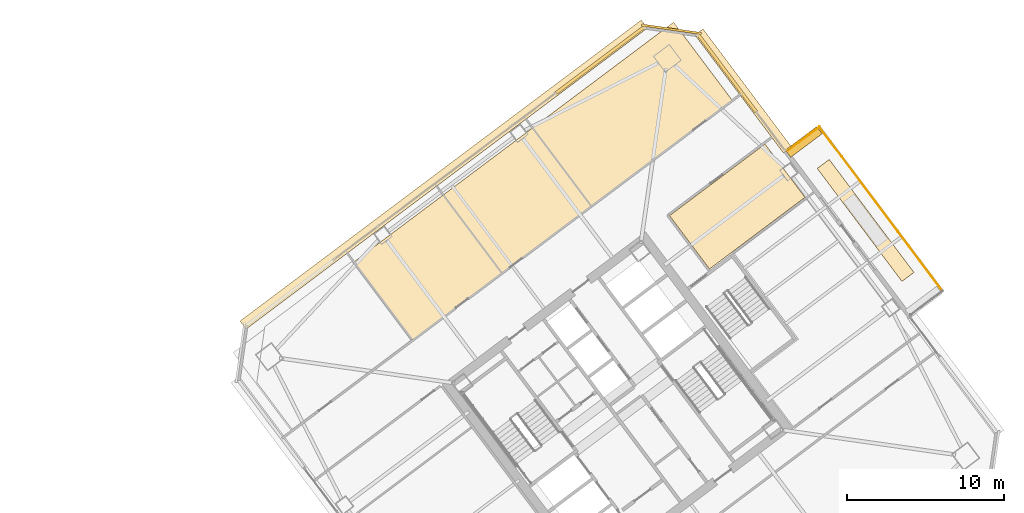
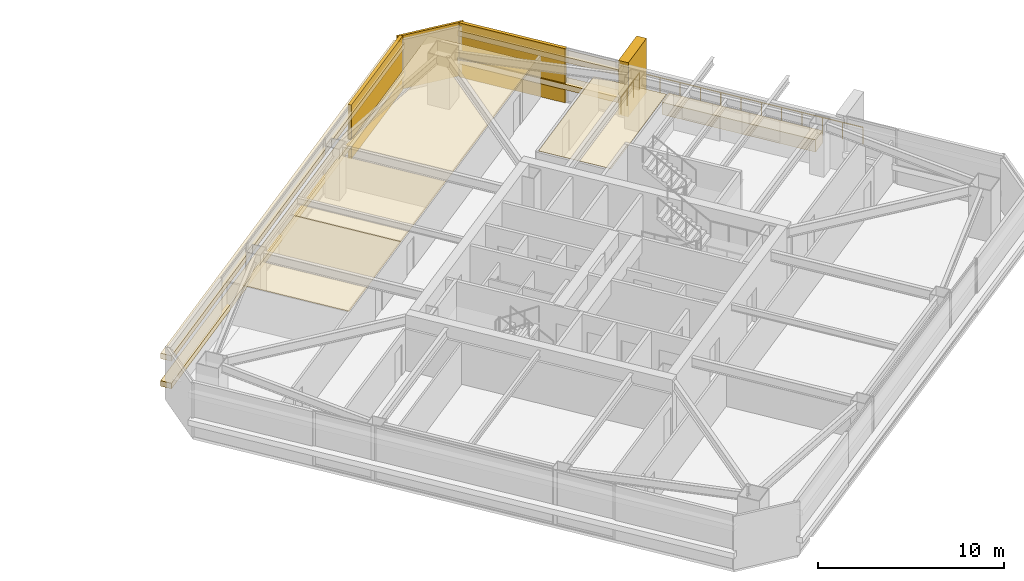
# One storey, part 40 of 41: 13 coverings, 2 railings.
"""IFC4 building model written with IfcOpenShell, lengths in metres."""

import ifcopenshell
import ifcopenshell.guid

model = None  # the IFC model being written
_history = None  # IfcOwnerHistory: only IFC2X3 demands one
_inside = {}  # id of a spatial element -> (the spatial element, [elements in it])
_under = {}  # id of a project, library or spatial element -> (it, [spatial elements below it])
_declared = {}  # id of a project -> (the project, [libraries it declares])
_typed = {}  # id of a type object -> (the type object, [elements of that type])
_made_of = {}  # id of a material, layer set ... -> (it, [elements and type objects made of it])


def new_model(schema):
    """Start an empty IFC model of exactly this schema.

    Asked for "IFC4X3", IfcOpenShell would pick the latest addendum, in which some entities
    have other attributes; the version numbers below select the first issue.
    IFC2X3 requires an IfcOwnerHistory on every rooted entity: one is made here for all.
    """
    global model, _history
    if schema == "IFC4X3":
        model = ifcopenshell.file(schema_version=(4, 3, 0, 0))
    else:
        model = ifcopenshell.file(schema=schema)
    _inside.clear()
    _under.clear()
    _declared.clear()
    _typed.clear()
    _made_of.clear()
    _history = None
    if model.schema == "IFC2X3":
        org = make("IfcOrganization", Name="unknown")
        user = make(
            "IfcPersonAndOrganization",
            ThePerson=make("IfcPerson", FamilyName="unknown"),
            TheOrganization=org,
        )
        app = make(
            "IfcApplication",
            ApplicationDeveloper=org,
            Version="unknown",
            ApplicationFullName="unknown",
            ApplicationIdentifier="unknown",
        )
        _history = make(
            "IfcOwnerHistory",
            OwningUser=user,
            OwningApplication=app,
            ChangeAction="ADDED",
            CreationDate=0,
        )
    return model


def make(cls, **values):
    """One entity of the class cls with the attributes given. An attribute that is None is left unset."""
    return model.create_entity(
        cls, **{name: value for name, value in values.items() if value is not None}
    )


def rooted(cls, **values):
    """An entity with a GlobalId (a new one), such as an element, a storey or a relation."""
    return make(cls, GlobalId=ifcopenshell.guid.new(), OwnerHistory=_history, **values)


def si_unit(unit_type, name, prefix=None):
    """IfcSIUnit, for example si_unit("LENGTHUNIT", "METRE", prefix="MILLI")."""
    return make("IfcSIUnit", UnitType=unit_type, Prefix=prefix, Name=name)


def assignment(units):
    """IfcUnitAssignment: the units of a project."""
    return None if units is None else make("IfcUnitAssignment", Units=units)


def point(xyz):
    """IfcCartesianPoint."""
    return None if xyz is None else make("IfcCartesianPoint", Coordinates=xyz)


def direction(xyz):
    """IfcDirection."""
    return None if xyz is None else make("IfcDirection", DirectionRatios=xyz)


def frame(location, z_axis=None, x_axis=None):
    """IfcAxis2Placement3D, a coordinate frame: its origin and axes. An axis left out is left unset."""
    return make(
        "IfcAxis2Placement3D",
        Location=point(location),
        Axis=direction(z_axis),
        RefDirection=direction(x_axis),
    )


def frame_2d(location, x_axis=None):
    """IfcAxis2Placement2D, a coordinate frame in the plane: its origin and x axis."""
    return make(
        "IfcAxis2Placement2D", Location=point(location), RefDirection=direction(x_axis)
    )


def origin():
    """The frame at (0, 0, 0) with its axes left unset."""
    return frame((0.0, 0.0, 0.0))


def origin_2d():
    """The frame at (0, 0) in the plane with its x axis left unset."""
    return frame_2d((0.0, 0.0))


def place(relative_to, where):
    """IfcLocalPlacement: puts the frame where relative to a parent placement (None: the world)."""
    return make(
        "IfcLocalPlacement", PlacementRelTo=relative_to, RelativePlacement=where
    )


def context(
    kind, dimensions, precision=None, world=None, true_north=None, identifier=None
):
    """IfcGeometricRepresentationContext, for example the 3D "Model" context."""
    return make(
        "IfcGeometricRepresentationContext",
        ContextIdentifier=identifier,
        ContextType=kind,
        CoordinateSpaceDimension=dimensions,
        Precision=precision,
        WorldCoordinateSystem=world,
        TrueNorth=true_north,
    )


def subcontext(parent, identifier, kind, view, scale=None):
    """IfcGeometricRepresentationSubContext, for example "Body" below "Model"."""
    return make(
        "IfcGeometricRepresentationSubContext",
        ContextIdentifier=identifier,
        ContextType=kind,
        ParentContext=parent,
        TargetScale=scale,
        TargetView=view,
    )


def project(units=None, contexts=None):
    """IfcProject with its units and contexts."""
    return rooted(
        "IfcProject",
        Name="project",
        RepresentationContexts=contexts,
        UnitsInContext=assignment(units),
    )


def spatial(cls, under=None, at=None, **own):
    """A site, building, storey or space (cls), placed at a placement, below another one or the project."""
    s = rooted(cls, ObjectPlacement=at, **own)
    if under is not None:
        _under.setdefault(under.id(), (under, []))[1].append(s)
    return s


def polyline(points):
    """IfcPolyline through the points."""
    return make("IfcPolyline", Points=[point(p) for p in points])


def profile(cls, at=None, kind="AREA", **sizes):
    """A parametric profile (cls). Its sizes go by their IFC names, for example OverallWidth=200.0."""
    return make(cls, ProfileType=kind, Position=at, **sizes)


def rectangle(**sizes):
    """IfcRectangleProfileDef."""
    return profile("IfcRectangleProfileDef", **sizes)


def outline(outer, holes=None, kind="AREA"):
    """IfcArbitraryClosedProfileDef: a profile drawn as a closed curve; with holes, ...WithVoids."""
    if holes is None:
        return make("IfcArbitraryClosedProfileDef", ProfileType=kind, OuterCurve=outer)
    return make(
        "IfcArbitraryProfileDefWithVoids",
        ProfileType=kind,
        OuterCurve=outer,
        InnerCurves=holes,
    )


def extrude(swept, where, along, depth):
    """IfcExtrudedAreaSolid: the profile swept, set in the frame where, extruded along a direction by depth."""
    return make(
        "IfcExtrudedAreaSolid",
        SweptArea=swept,
        Position=where,
        ExtrudedDirection=direction(along),
        Depth=depth,
    )


def shape(context_of_items, identifier, shape_type, items):
    """IfcShapeRepresentation: the items that make up one representation, for example the "Body"."""
    return make(
        "IfcShapeRepresentation",
        ContextOfItems=context_of_items,
        RepresentationIdentifier=identifier,
        RepresentationType=shape_type,
        Items=items,
    )


def material(Name=None, Category=None):
    """IfcMaterial."""
    return make("IfcMaterial", Name=Name, Category=Category)


def layer(
    of_material, thickness, ventilated=None, Name=None, Category=None, Priority=None
):
    """IfcMaterialLayer: one layer of a wall or slab, of a material (None: an air gap)."""
    return make(
        "IfcMaterialLayer",
        Material=of_material,
        LayerThickness=thickness,
        IsVentilated=ventilated,
        Name=Name,
        Category=Category,
        Priority=Priority,
    )


def layer_set(layers, Name=None):
    """IfcMaterialLayerSet."""
    return make("IfcMaterialLayerSet", MaterialLayers=layers, LayerSetName=Name)


def made_of(thing, what):
    """Note that an element or type object is made of a material, layer set ...; save() writes the relation."""
    if what is not None:
        _made_of.setdefault(what.id(), (what, []))[1].append(thing)
    return thing


def type_object(cls, material=None, **own):
    """A type object (cls), such as IfcWallType, which elements share."""
    return made_of(rooted(cls, **own), material)


def element(
    cls,
    number,
    at=None,
    inside=None,
    cuts=None,
    type_object=None,
    material=None,
    context=None,
    identifier="Body",
    shape_type=None,
    held_by="IfcProductDefinitionShape",
    body=None,
    shapes=None,
    **own,
):
    """One element of the class cls, such as IfcWall. Its Tag is "e" and its number.

    at: its placement. inside: the storey or other place that contains it. cuts: it is an
    opening in that element (IfcRelVoidsElement). A single representation is given by context,
    identifier, shape_type and body (its items); several are given by shapes. held_by: the class
    of the entity that holds the representations. save() writes the other relations.
    """
    e = rooted(cls, Tag="e%d" % number, ObjectPlacement=at, **own)
    if body is not None:
        shapes = [shape(context, identifier, shape_type, body)]
    if shapes is not None:
        e.Representation = make(held_by, Representations=shapes)
    if inside is not None:
        _inside.setdefault(inside.id(), (inside, []))[1].append(e)
    if cuts is not None:
        rooted(
            "IfcRelVoidsElement", RelatingBuildingElement=cuts, RelatedOpeningElement=e
        )
    if type_object is not None:
        _typed.setdefault(type_object.id(), (type_object, []))[1].append(e)
    return made_of(e, material)


def aggregate(whole, parts):
    """IfcRelAggregates: a whole, such as a stair, and the parts it consists of."""
    return rooted("IfcRelAggregates", RelatingObject=whole, RelatedObjects=parts)


def save(model, path):
    """Write the relations noted so far, then the file.

    IfcRelAggregates (storeys below a building ...), IfcRelContainedInSpatialStructure (elements
    in a storey), IfcRelDefinesByType, IfcRelAssociatesMaterial and IfcRelDeclares: one each for
    every whole, place, type object, material and project.
    """
    for whole, parts in _under.values():
        aggregate(whole, parts)
    for where, things in _inside.values():
        rooted(
            "IfcRelContainedInSpatialStructure",
            RelatedElements=things,
            RelatingStructure=where,
        )
    for kind, things in _typed.values():
        rooted("IfcRelDefinesByType", RelatedObjects=things, RelatingType=kind)
    for what, things in _made_of.values():
        rooted("IfcRelAssociatesMaterial", RelatedObjects=things, RelatingMaterial=what)
    for by, libraries in _declared.values():
        rooted("IfcRelDeclares", RelatingContext=by, RelatedDefinitions=libraries)
    model.write(path)


model = new_model("IFC4")

# Units and contexts
model_context = context("Model", 3, precision=1e-05, world=origin(), true_north=direction((0.0, 1.0)))
body_context = subcontext(model_context, "Body", "Model", "MODEL_VIEW")
ifc_project = project(units=[si_unit("LENGTHUNIT", "METRE"), si_unit("AREAUNIT", "SQUARE_METRE"), si_unit("VOLUMEUNIT", "CUBIC_METRE"), si_unit("PLANEANGLEUNIT", "RADIAN"), si_unit("MASSUNIT", "GRAM", prefix="KILO")], contexts=[model_context])

# Site, building, storey
site_placement = place(None, origin())
site = spatial("IfcSite", under=ifc_project, at=site_placement, CompositionType="ELEMENT")
building_placement = place(site_placement, origin())
building = spatial("IfcBuilding", under=site, at=building_placement, Name="Tashvorn Skyway Center", CompositionType="ELEMENT")
storey_placement = place(building_placement, frame((0.0, 0.0, 146.35009765625)))
storey = spatial("IfcBuildingStorey", under=building, at=storey_placement, Name="L39", CompositionType="ELEMENT", Elevation=146.35009765625)

# Coverings
ifc_material_1 = material(Name="Precast concrete C40/50", Category="concrete")
ifc_layer_1 = layer(ifc_material_1, 0.199951171875)
ifc_layer_set_1 = layer_set([ifc_layer_1], Name="Precast concrete C40/50")
covering_type_1 = type_object("IfcCoveringType", Name="COV-BRACE-CLAD", PredefinedType="CLADDING", material=ifc_layer_set_1)
covering_1_placement = place(storey_placement, frame((112.912841796875, 54.03466796875, 0.0), z_axis=(0.0, 0.0, 1.0), x_axis=(0.799999996291, 0.600000004945, 0.0)))
element("IfcCovering", 1, at=covering_1_placement, inside=storey, type_object=covering_type_1, Name="Tower 2 L39 North Unitised Curtain Wall Mega-Brace Cladding Band 2", PredefinedType="CLADDING", context=body_context, shape_type="SweptSolid", body=[
    extrude(rectangle(XDim=7.057861328125, YDim=0.199951171875, at=origin_2d()), origin(), (0.0, 0.0, 1.0), 3.550048828125),
])
covering_2_placement = place(storey_placement, frame((120.951904296875, 53.197265625, 0.0), z_axis=(0.0, 0.0, 1.0), x_axis=(0.600000004945, -0.799999996291, 0.0)))
element("IfcCovering", 2, at=covering_2_placement, inside=storey, type_object=covering_type_1, Name="Tower 2 L39 East Curtain Wall L Mega-Brace Cladding Band 1", PredefinedType="CLADDING", context=body_context, shape_type="SweptSolid", body=[
    extrude(rectangle(XDim=6.1865234375, YDim=0.199951171875, at=origin_2d()), origin(), (0.0, 0.0, 1.0), 3.550048828125),
])
ifc_material_2 = material(Name="Mineral-fibre acoustic ceiling tile on suspended grid")
ifc_layer_2 = layer(ifc_material_2, 0.02001953125)
ifc_layer_set_2 = layer_set([ifc_layer_2], Name="Mineral-fibre acoustic ceiling tile on suspended grid")
covering_type_2 = type_object("IfcCoveringType", Name="COV-CEIL-20", PredefinedType="CEILING", material=ifc_layer_set_2)
covering_3_placement = place(storey_placement, frame((0.0, 0.0, 2.702880859375)))
element("IfcCovering", 3, at=covering_3_placement, inside=storey, type_object=covering_type_2, Name="Tower 2 L39 Gallery Showroom Acoustic Ceiling", PredefinedType="CEILING", context=body_context, shape_type="SweptSolid", body=[
    extrude(outline(polyline([(100.97802734375, 36.196044921875), (106.657958984375, 40.4560546875), (102.919921875, 45.43994140625), (97.239990234375, 41.179931640625), (100.97802734375, 36.196044921875)])), origin(), (0.0, 0.0, 1.0), 0.02001953125),
])
covering_4_placement = place(storey_placement, frame((0.0, 0.0, 2.702880859375)))
element("IfcCovering", 4, at=covering_4_placement, inside=storey, type_object=covering_type_2, Name="Tower 2 L39 Security Control Room Acoustic Ceiling", PredefinedType="CEILING", context=body_context, shape_type="SweptSolid", body=[
    extrude(outline(polyline([(106.657958984375, 40.4560546875), (112.337890625, 44.716064453125), (108.60009765625, 49.699951171875), (102.919921875, 45.43994140625), (106.657958984375, 40.4560546875)])), origin(), (0.0, 0.0, 1.0), 0.02001953125),
])
covering_5_placement = place(storey_placement, frame((0.0, 0.0, 2.702880859375)))
element("IfcCovering", 5, at=covering_5_placement, inside=storey, type_object=covering_type_2, Name="Tower 2 L39 Conference Room Acoustic Ceiling", PredefinedType="CEILING", context=body_context, shape_type="SweptSolid", body=[
    extrude(outline(polyline([(112.337890625, 44.716064453125), (121.298095703125, 51.43603515625), (117.56005859375, 56.419921875), (108.60009765625, 49.699951171875), (112.337890625, 44.716064453125)])), origin(), (0.0, 0.0, 1.0), 0.02001953125),
])
covering_6_placement = place(storey_placement, frame((0.0, 0.0, 2.702880859375)))
element("IfcCovering", 6, at=covering_6_placement, inside=storey, type_object=covering_type_2, Name="Tower 2 L39 Conference Room Acoustic Ceiling", PredefinedType="CEILING", context=body_context, shape_type="SweptSolid", body=[
    extrude(outline(polyline([(119.840087890625, 40.72998046875), (117.2958984375, 44.1220703125), (123.367919921875, 48.676025390625), (125.912109375, 45.283935546875), (119.840087890625, 40.72998046875)])), origin(), (0.0, 0.0, 1.0), 0.02001953125),
])
ifc_material_3 = material(Name="Perforated ceramic-coated bronze aluminium solar screen", Category="aluminium")
ifc_layer_3 = layer(ifc_material_3, 0.85009765625)
ifc_layer_set_3 = layer_set([ifc_layer_3], Name="Perforated ceramic-coated bronze aluminium solar screen")
covering_type_3 = type_object("IfcCoveringType", Name="COV-SOLAR-BAND", PredefinedType="CLADDING", material=ifc_layer_set_3)
for number, where, z_axis, x_axis, name in (
    (7, (102.947998046875, 46.736083984375, 0.919921875), (0.0, 0.0, 1.0), (0.799999996291, 0.600000004945, 0.0), "L39 Perforated Ceramic-Metal Solar Screen Louvre Band North 1"),
    (8, (102.947998046875, 46.736083984375, 2.7197265625), (0.0, 0.0, 1.0), (0.799999996291, 0.600000004945, 0.0), "L39 Perforated Ceramic-Metal Solar Screen Louvre Band North 2"),
):
    element("IfcCovering", number, at=place(storey_placement, frame(where, z_axis=z_axis, x_axis=x_axis)), inside=storey, type_object=covering_type_3, Name=name, PredefinedType="CLADDING", context=body_context, shape_type="SweptSolid", body=[
        extrude(rectangle(XDim=31.8798828125, YDim=0.639892578125, at=origin_2d()), origin(), (0.0, 0.0, 1.0), 0.360107421875),
    ])
for number, where, z_axis, x_axis, name in (
    (9, (121.991943359375, 52.0439453125, 0.919921875), (0.0, 0.0, 1.0), (0.600000004945, -0.799999996291, 0.0), "L39 Perforated Ceramic-Metal Solar Screen Louvre Band East 1"),
    (10, (121.991943359375, 52.0439453125, 2.7197265625), (0.0, 0.0, 1.0), (0.600000004945, -0.799999996291, 0.0), "L39 Perforated Ceramic-Metal Solar Screen Louvre Band East 2"),
):
    element("IfcCovering", number, at=place(storey_placement, frame(where, z_axis=z_axis, x_axis=x_axis)), inside=storey, type_object=covering_type_3, Name=name, PredefinedType="CLADDING", context=body_context, shape_type="SweptSolid", body=[
        extrude(rectangle(XDim=9.39990234375, YDim=0.639892578125, at=origin_2d()), origin(), (0.0, 0.0, 1.0), 0.360107421875),
    ])
ifc_layer_4 = layer(ifc_material_1, 0.35009765625)
ifc_layer_set_4 = layer_set([ifc_layer_4], Name="Precast concrete C40/50")
covering_type_4 = type_object("IfcCoveringType", Name="COV-STONE-TRIM", PredefinedType="CLADDING", material=ifc_layer_set_4)
covering_7_placement = place(storey_placement, frame((125.830078125, 48.81005859375, 0.0), z_axis=(0.0, 0.0, 1.0), x_axis=(0.600000004945, -0.799999996291, 0.0)))
element("IfcCovering", 11, at=covering_7_placement, inside=storey, type_object=covering_type_4, Name="Tower 2 L39 Sky Garden Loggia Pier L", PredefinedType="CLADDING", context=body_context, shape_type="SweptSolid", body=[
    extrude(rectangle(XDim=0.580078125, YDim=2.5, at=origin_2d()), origin(), (0.0, 0.0, 1.0), 3.550048828125),
])
covering_8_placement = place(storey_placement, frame((129.760009765625, 43.820068359375, 0.0), z_axis=(0.0, 0.0, 1.0), x_axis=(0.600000004945, -0.799999996291, 0.0)))
element("IfcCovering", 12, at=covering_8_placement, inside=storey, type_object=covering_type_4, Name="Tower 2 L39 Sky Garden Stone Planter Bed", PredefinedType="CLADDING", context=body_context, shape_type="SweptSolid", body=[
    extrude(rectangle(XDim=8.97607421875, YDim=0.949951171875, at=origin_2d()), origin(), (0.0, 0.0, 1.0), 0.800048828125),
])
covering_9_placement = place(storey_placement, frame((117.424072265625, 55.968017578125, 0.02001953125), z_axis=(0.0, 0.0, 1.0), x_axis=(0.989949494535, -0.141421350118, 0.0)))
element("IfcCovering", 13, at=covering_9_placement, inside=storey, type_object=covering_type_4, Name="Tower 2 L39 NE Mojave Limestone Corner Quoin", PredefinedType="CLADDING", context=body_context, shape_type="SweptSolid", body=[
    extrude(rectangle(XDim=3.8369140625, YDim=0.139892578125, at=origin_2d()), origin(), (0.0, 0.0, 1.0), 3.510009765625),
])

# Railings
ifc_material_4 = material(Name="Galvanized steel S355", Category="steel")
railing_type = type_object("IfcRailingType", Name="RAIL-GUARD-1120", PredefinedType="GUARDRAIL", material=ifc_material_4)
railing_1_placement = place(storey_placement, frame((134.64794921875, 39.3359375, 0.0)))
element("IfcRailing", 14, at=railing_1_placement, inside=storey, type_object=railing_type, Name="L39 Tower 2 Terrace Guardrail 02", PredefinedType="GUARDRAIL", context=body_context, shape_type="SweptSolid", body=[
    extrude(rectangle(XDim=0.048095703125, YDim=0.048095703125, at=origin_2d()), frame((0.0, 0.0, 1.09619140625), z_axis=(-0.599994008843, 0.800004493333, 0.0), x_axis=(-0.800004493333, -0.599994008843, 0.0)), (0.0, 0.0, 1.0), 13.0400390625),
    extrude(rectangle(XDim=0.0419921875, YDim=0.0419921875, at=origin_2d()), origin(), (0.0, 0.0, 1.0), 1.072021484375),
    extrude(rectangle(XDim=0.0419921875, YDim=0.0419921875, at=origin_2d()), frame((-0.711181640625, 0.948486328125, 0.0)), (0.0, 0.0, 1.0), 1.072021484375),
    extrude(rectangle(XDim=0.0419921875, YDim=0.0419921875, at=origin_2d()), frame((-1.422607421875, 1.896728515625, 0.0)), (0.0, 0.0, 1.0), 1.072021484375),
    extrude(rectangle(XDim=0.0419921875, YDim=0.0419921875, at=origin_2d()), frame((-2.1337890625, 2.84521484375, 0.0)), (0.0, 0.0, 1.0), 1.072021484375),
    extrude(rectangle(XDim=0.0419921875, YDim=0.0419921875, at=origin_2d()), frame((-2.844970703125, 3.79345703125, 0.0)), (0.0, 0.0, 1.0), 1.072021484375),
    extrude(rectangle(XDim=0.0419921875, YDim=0.0419921875, at=origin_2d()), frame((-3.556396484375, 4.741943359375, 0.0)), (0.0, 0.0, 1.0), 1.072021484375),
    extrude(rectangle(XDim=0.0419921875, YDim=0.0419921875, at=origin_2d()), frame((-4.267578125, 5.690185546875, 0.0)), (0.0, 0.0, 1.0), 1.072021484375),
    extrude(rectangle(XDim=0.0419921875, YDim=0.0419921875, at=origin_2d()), frame((-4.97900390625, 6.638671875, 0.0)), (0.0, 0.0, 1.0), 1.072021484375),
    extrude(rectangle(XDim=0.0419921875, YDim=0.0419921875, at=origin_2d()), frame((-5.690185546875, 7.5869140625, 0.0)), (0.0, 0.0, 1.0), 1.072021484375),
    extrude(rectangle(XDim=0.0419921875, YDim=0.0419921875, at=origin_2d()), frame((-6.4013671875, 8.535400390625, 0.0)), (0.0, 0.0, 1.0), 1.072021484375),
    extrude(rectangle(XDim=0.0419921875, YDim=0.0419921875, at=origin_2d()), frame((-7.11279296875, 9.483642578125, 0.0)), (0.0, 0.0, 1.0), 1.072021484375),
    extrude(rectangle(XDim=0.0419921875, YDim=0.0419921875, at=origin_2d()), frame((-7.823974609375, 10.43212890625, 0.0)), (0.0, 0.0, 1.0), 1.072021484375),
])
railing_2_placement = place(storey_placement, frame((126.823974609375, 49.76806640625, 0.0)))
element("IfcRailing", 15, at=railing_2_placement, inside=storey, type_object=railing_type, Name="L39 Tower 2 Terrace Guardrail 03", PredefinedType="GUARDRAIL", context=body_context, shape_type="SweptSolid", body=[
    extrude(rectangle(XDim=0.048095703125, YDim=0.048095703125, at=origin_2d()), frame((0.0, 0.0, 1.09619140625), z_axis=(-0.79998837352, -0.60001550166, 0.0), x_axis=(0.60001550166, -0.79998837352, 0.0)), (0.0, 0.0, 1.0), 2.519775390625),
    extrude(rectangle(XDim=0.0419921875, YDim=0.0419921875, at=origin_2d()), origin(), (0.0, 0.0, 1.0), 1.072021484375),
    extrude(rectangle(XDim=0.0419921875, YDim=0.0419921875, at=origin_2d()), frame((-0.671875, -0.50390625, 0.0)), (0.0, 0.0, 1.0), 1.072021484375),
    extrude(rectangle(XDim=0.0419921875, YDim=0.0419921875, at=origin_2d()), frame((-1.343994140625, -1.008056640625, 0.0)), (0.0, 0.0, 1.0), 1.072021484375),
    extrude(rectangle(XDim=0.0419921875, YDim=0.0419921875, at=origin_2d()), frame((-2.015869140625, -1.511962890625, 0.0)), (0.0, 0.0, 1.0), 1.072021484375),
])

save(model, "model.ifc")
